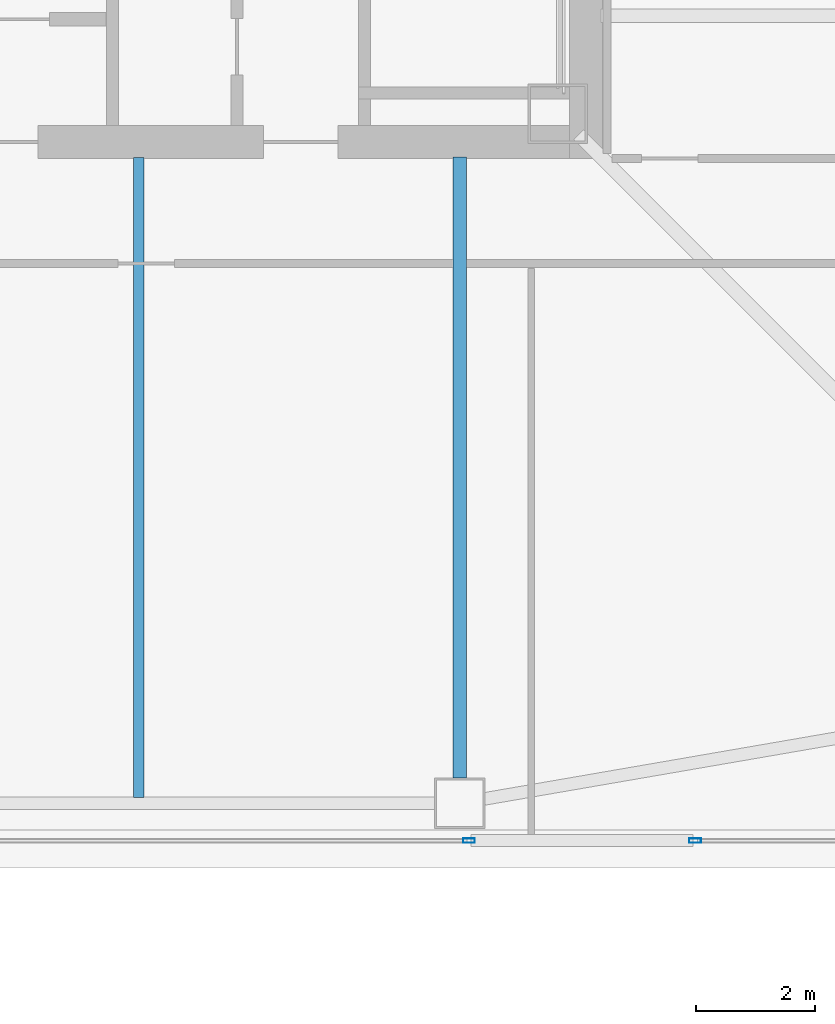
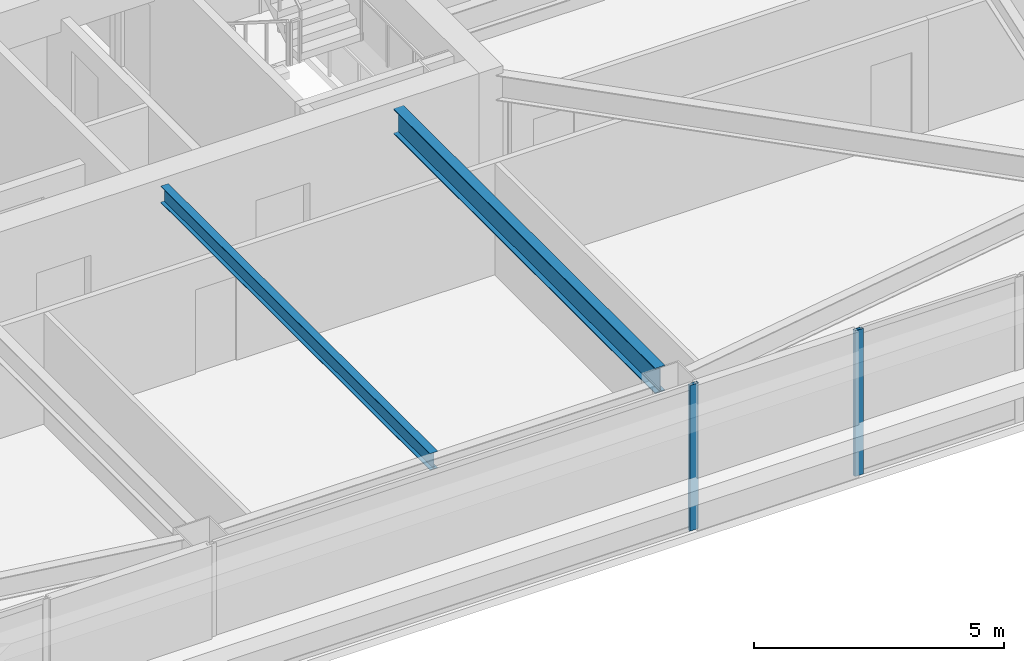
# One storey, part 5 of 46: 2 beams, 2 members, 2 elements without a shape of their own.
"""IFC4 building model written with IfcOpenShell, lengths in metres."""

import ifcopenshell
import ifcopenshell.guid

model = None  # the IFC model being written
_history = None  # IfcOwnerHistory: only IFC2X3 demands one
_inside = {}  # id of a spatial element -> (the spatial element, [elements in it])
_under = {}  # id of a project, library or spatial element -> (it, [spatial elements below it])
_declared = {}  # id of a project -> (the project, [libraries it declares])
_typed = {}  # id of a type object -> (the type object, [elements of that type])
_made_of = {}  # id of a material, layer set ... -> (it, [elements and type objects made of it])


def new_model(schema):
    """Start an empty IFC model of exactly this schema.

    Asked for "IFC4X3", IfcOpenShell would pick the latest addendum, in which some entities
    have other attributes; the version numbers below select the first issue.
    IFC2X3 requires an IfcOwnerHistory on every rooted entity: one is made here for all.
    """
    global model, _history
    if schema == "IFC4X3":
        model = ifcopenshell.file(schema_version=(4, 3, 0, 0))
    else:
        model = ifcopenshell.file(schema=schema)
    _inside.clear()
    _under.clear()
    _declared.clear()
    _typed.clear()
    _made_of.clear()
    _history = None
    if model.schema == "IFC2X3":
        org = make("IfcOrganization", Name="unknown")
        user = make(
            "IfcPersonAndOrganization",
            ThePerson=make("IfcPerson", FamilyName="unknown"),
            TheOrganization=org,
        )
        app = make(
            "IfcApplication",
            ApplicationDeveloper=org,
            Version="unknown",
            ApplicationFullName="unknown",
            ApplicationIdentifier="unknown",
        )
        _history = make(
            "IfcOwnerHistory",
            OwningUser=user,
            OwningApplication=app,
            ChangeAction="ADDED",
            CreationDate=0,
        )
    return model


def make(cls, **values):
    """One entity of the class cls with the attributes given. An attribute that is None is left unset."""
    return model.create_entity(
        cls, **{name: value for name, value in values.items() if value is not None}
    )


def rooted(cls, **values):
    """An entity with a GlobalId (a new one), such as an element, a storey or a relation."""
    return make(cls, GlobalId=ifcopenshell.guid.new(), OwnerHistory=_history, **values)


def si_unit(unit_type, name, prefix=None):
    """IfcSIUnit, for example si_unit("LENGTHUNIT", "METRE", prefix="MILLI")."""
    return make("IfcSIUnit", UnitType=unit_type, Prefix=prefix, Name=name)


def assignment(units):
    """IfcUnitAssignment: the units of a project."""
    return None if units is None else make("IfcUnitAssignment", Units=units)


def point(xyz):
    """IfcCartesianPoint."""
    return None if xyz is None else make("IfcCartesianPoint", Coordinates=xyz)


def direction(xyz):
    """IfcDirection."""
    return None if xyz is None else make("IfcDirection", DirectionRatios=xyz)


def frame(location, z_axis=None, x_axis=None):
    """IfcAxis2Placement3D, a coordinate frame: its origin and axes. An axis left out is left unset."""
    return make(
        "IfcAxis2Placement3D",
        Location=point(location),
        Axis=direction(z_axis),
        RefDirection=direction(x_axis),
    )


def frame_2d(location, x_axis=None):
    """IfcAxis2Placement2D, a coordinate frame in the plane: its origin and x axis."""
    return make(
        "IfcAxis2Placement2D", Location=point(location), RefDirection=direction(x_axis)
    )


def origin():
    """The frame at (0, 0, 0) with its axes left unset."""
    return frame((0.0, 0.0, 0.0))


def origin_2d():
    """The frame at (0, 0) in the plane with its x axis left unset."""
    return frame_2d((0.0, 0.0))


def place(relative_to, where):
    """IfcLocalPlacement: puts the frame where relative to a parent placement (None: the world)."""
    return make(
        "IfcLocalPlacement", PlacementRelTo=relative_to, RelativePlacement=where
    )


def context(
    kind, dimensions, precision=None, world=None, true_north=None, identifier=None
):
    """IfcGeometricRepresentationContext, for example the 3D "Model" context."""
    return make(
        "IfcGeometricRepresentationContext",
        ContextIdentifier=identifier,
        ContextType=kind,
        CoordinateSpaceDimension=dimensions,
        Precision=precision,
        WorldCoordinateSystem=world,
        TrueNorth=true_north,
    )


def subcontext(parent, identifier, kind, view, scale=None):
    """IfcGeometricRepresentationSubContext, for example "Body" below "Model"."""
    return make(
        "IfcGeometricRepresentationSubContext",
        ContextIdentifier=identifier,
        ContextType=kind,
        ParentContext=parent,
        TargetScale=scale,
        TargetView=view,
    )


def project(units=None, contexts=None):
    """IfcProject with its units and contexts."""
    return rooted(
        "IfcProject",
        Name="project",
        RepresentationContexts=contexts,
        UnitsInContext=assignment(units),
    )


def spatial(cls, under=None, at=None, **own):
    """A site, building, storey or space (cls), placed at a placement, below another one or the project."""
    s = rooted(cls, ObjectPlacement=at, **own)
    if under is not None:
        _under.setdefault(under.id(), (under, []))[1].append(s)
    return s


def profile(cls, at=None, kind="AREA", **sizes):
    """A parametric profile (cls). Its sizes go by their IFC names, for example OverallWidth=200.0."""
    return make(cls, ProfileType=kind, Position=at, **sizes)


def hollow_rectangle(**sizes):
    """IfcRectangleHollowProfileDef."""
    return profile("IfcRectangleHollowProfileDef", **sizes)


def i_section(**sizes):
    """IfcIShapeProfileDef."""
    return profile("IfcIShapeProfileDef", **sizes)


def extrude(swept, where, along, depth):
    """IfcExtrudedAreaSolid: the profile swept, set in the frame where, extruded along a direction by depth."""
    return make(
        "IfcExtrudedAreaSolid",
        SweptArea=swept,
        Position=where,
        ExtrudedDirection=direction(along),
        Depth=depth,
    )


def shape(context_of_items, identifier, shape_type, items):
    """IfcShapeRepresentation: the items that make up one representation, for example the "Body"."""
    return make(
        "IfcShapeRepresentation",
        ContextOfItems=context_of_items,
        RepresentationIdentifier=identifier,
        RepresentationType=shape_type,
        Items=items,
    )


def material(Name=None, Category=None):
    """IfcMaterial."""
    return make("IfcMaterial", Name=Name, Category=Category)


def material_profile(
    of_material, cross_section, Name=None, Category=None, Priority=None
):
    """IfcMaterialProfile: a cross section and its material."""
    return make(
        "IfcMaterialProfile",
        Name=Name,
        Material=of_material,
        Profile=cross_section,
        Priority=Priority,
        Category=Category,
    )


def profile_set(profiles, Name=None, composite=None):
    """IfcMaterialProfileSet."""
    return make(
        "IfcMaterialProfileSet",
        Name=Name,
        MaterialProfiles=profiles,
        CompositeProfile=composite,
    )


def made_of(thing, what):
    """Note that an element or type object is made of a material, layer set ...; save() writes the relation."""
    if what is not None:
        _made_of.setdefault(what.id(), (what, []))[1].append(thing)
    return thing


def type_object(cls, material=None, **own):
    """A type object (cls), such as IfcWallType, which elements share."""
    return made_of(rooted(cls, **own), material)


def element(
    cls,
    number,
    at=None,
    inside=None,
    cuts=None,
    type_object=None,
    material=None,
    context=None,
    identifier="Body",
    shape_type=None,
    held_by="IfcProductDefinitionShape",
    body=None,
    shapes=None,
    **own,
):
    """One element of the class cls, such as IfcWall. Its Tag is "e" and its number.

    at: its placement. inside: the storey or other place that contains it. cuts: it is an
    opening in that element (IfcRelVoidsElement). A single representation is given by context,
    identifier, shape_type and body (its items); several are given by shapes. held_by: the class
    of the entity that holds the representations. save() writes the other relations.
    """
    e = rooted(cls, Tag="e%d" % number, ObjectPlacement=at, **own)
    if body is not None:
        shapes = [shape(context, identifier, shape_type, body)]
    if shapes is not None:
        e.Representation = make(held_by, Representations=shapes)
    if inside is not None:
        _inside.setdefault(inside.id(), (inside, []))[1].append(e)
    if cuts is not None:
        rooted(
            "IfcRelVoidsElement", RelatingBuildingElement=cuts, RelatedOpeningElement=e
        )
    if type_object is not None:
        _typed.setdefault(type_object.id(), (type_object, []))[1].append(e)
    return made_of(e, material)


def aggregate(whole, parts):
    """IfcRelAggregates: a whole, such as a stair, and the parts it consists of."""
    return rooted("IfcRelAggregates", RelatingObject=whole, RelatedObjects=parts)


def save(model, path):
    """Write the relations noted so far, then the file.

    IfcRelAggregates (storeys below a building ...), IfcRelContainedInSpatialStructure (elements
    in a storey), IfcRelDefinesByType, IfcRelAssociatesMaterial and IfcRelDeclares: one each for
    every whole, place, type object, material and project.
    """
    for whole, parts in _under.values():
        aggregate(whole, parts)
    for where, things in _inside.values():
        rooted(
            "IfcRelContainedInSpatialStructure",
            RelatedElements=things,
            RelatingStructure=where,
        )
    for kind, things in _typed.values():
        rooted("IfcRelDefinesByType", RelatedObjects=things, RelatingType=kind)
    for what, things in _made_of.values():
        rooted("IfcRelAssociatesMaterial", RelatedObjects=things, RelatingMaterial=what)
    for by, libraries in _declared.values():
        rooted("IfcRelDeclares", RelatingContext=by, RelatedDefinitions=libraries)
    model.write(path)


model = new_model("IFC4")

# Units and contexts
model_context = context("Model", 3, precision=1e-05, world=origin(), true_north=direction((0.0, 1.0)))
body_context = subcontext(model_context, "Body", "Model", "MODEL_VIEW")
ifc_project = project(units=[si_unit("LENGTHUNIT", "METRE"), si_unit("AREAUNIT", "SQUARE_METRE"), si_unit("VOLUMEUNIT", "CUBIC_METRE"), si_unit("PLANEANGLEUNIT", "RADIAN"), si_unit("MASSUNIT", "GRAM", prefix="KILO")], contexts=[model_context])

# Site, building, storey
site_placement = place(None, origin())
site = spatial("IfcSite", under=ifc_project, at=site_placement, CompositionType="ELEMENT")
building_placement = place(site_placement, origin())
building = spatial("IfcBuilding", under=site, at=building_placement, Name="Tashvorn Skyway Center", CompositionType="ELEMENT")
storey_placement = place(building_placement, frame((0.0, 0.0, 132.14990234375)))
storey = spatial("IfcBuildingStorey", under=building, at=storey_placement, Name="L35", CompositionType="ELEMENT", Elevation=132.14990234375)

# Beams
ifc_material_1 = material(Name="Steel ASTM A992 Grade 50", Category="steel")
ifc_material_profile_1 = material_profile(ifc_material_1, i_section(OverallWidth=0.22998046875, OverallDepth=0.616943359375, WebThickness=0.01318359375, FlangeThickness=0.022216796875, at=origin_2d()), Name="W24X94")
ifc_profile_set_1 = profile_set([ifc_material_profile_1], Name="Steel ASTM A992 Grade 50")
beam_type_1 = type_object("IfcBeamType", Name="BM-BEAM-W24X94", PredefinedType="BEAM", material=ifc_profile_set_1)
beam_1_placement = place(storey_placement, frame((47.39990234375, 13.77001953125, 3.0615234375), z_axis=(0.0, 1.0, 0.0), x_axis=(-1.0, 0.0, 0.0)))
element("IfcBeam", 1, at=beam_1_placement, inside=storey, type_object=beam_type_1, Name="Tower 1 L35 Primary Floor Girder FC-S2", PredefinedType="BEAM", context=body_context, shape_type="SweptSolid", body=[
    extrude(i_section(OverallWidth=0.22998046875, OverallDepth=0.616943359375, WebThickness=0.01318359375, FlangeThickness=0.022216796875, at=origin_2d()), origin(), (0.0, 0.0, 1.0), 10.449951171875),
])
ifc_material_profile_2 = material_profile(ifc_material_1, i_section(OverallWidth=0.177978515625, OverallDepth=0.406005859375, WebThickness=0.0078125, FlangeThickness=0.0126953125, at=origin_2d()), Name="W16X40")
ifc_profile_set_2 = profile_set([ifc_material_profile_2], Name="Steel ASTM A992 Grade 50")
beam_type_2 = type_object("IfcBeamType", Name="BM-JOIST-W16X40", PredefinedType="JOIST", material=ifc_profile_set_2)
beam_2_placement = place(storey_placement, frame((42.0, 24.2099609375, 3.1669921875), z_axis=(0.0, -1.0, 0.0), x_axis=(1.0, 0.0, 0.0)))
element("IfcBeam", 2, at=beam_2_placement, inside=storey, type_object=beam_type_2, Name="Tower 1 L35 Secondary Composite Joist JS", PredefinedType="JOIST", context=body_context, shape_type="SweptSolid", body=[
    extrude(i_section(OverallWidth=0.177978515625, OverallDepth=0.406005859375, WebThickness=0.0078125, FlangeThickness=0.0126953125, at=origin_2d()), origin(), (0.0, 0.0, 1.0), 10.762451171875),
])

# Curtain wall, member
ifc_material_2 = material(Name="Thermally broken bronze-anodized aluminium 6063-T6", Category="aluminium")
curtain_wall_type = type_object("IfcCurtainWallType", Name="CW-CW-Z3", PredefinedType="NOTDEFINED", material=ifc_material_2)
curtain_wall_1_placement = place(storey_placement, origin())
curtain_wall_1 = element("IfcCurtainWall", 3, at=curtain_wall_1_placement, inside=storey, type_object=curtain_wall_type, Name="Tower 1 L35 South Unitised Curtain Wall Glazing Group 1", PredefinedType="NOTDEFINED")
ifc_material_profile_3 = material_profile(ifc_material_2, hollow_rectangle(XDim=0.074951171875, YDim=0.199951171875, WallThickness=0.00439453125, at=origin_2d()), Name="ALU-MULL-75x200")
ifc_profile_set_3 = profile_set([ifc_material_profile_3], Name="Thermally broken bronze-anodized aluminium 6063-T6")
member_type = type_object("IfcMemberType", Name="CWM-CW-Z3", PredefinedType="MULLION", material=ifc_profile_set_3)
member_1_placement = place(storey_placement, frame((51.359619140625, 12.719970703125, 0.0), z_axis=(0.0, 0.0, 1.0), x_axis=(0.0, -1.0, 0.0)))
member_1 = element("IfcMember", 4, at=member_1_placement, type_object=member_type, Name="CW-Z3 mullion 3", PredefinedType="MULLION", context=body_context, shape_type="SweptSolid", body=[
    extrude(hollow_rectangle(XDim=0.074951171875, YDim=0.199951171875, WallThickness=0.00439453125, at=origin_2d()), origin(), (0.0, 0.0, 1.0), 3.550048828125),
])
aggregate(curtain_wall_1, [member_1])

curtain_wall_2_placement = place(storey_placement, origin())
curtain_wall_2 = element("IfcCurtainWall", 5, at=curtain_wall_2_placement, inside=storey, type_object=curtain_wall_type, Name="Tower 1 L35 South Unitised Curtain Wall Glazing Group 2", PredefinedType="NOTDEFINED")
member_2_placement = place(storey_placement, frame((47.555908203125, 12.719970703125, 0.0), z_axis=(0.0, 0.0, 1.0), x_axis=(0.0, -1.0, 0.0)))
member_2 = element("IfcMember", 6, at=member_2_placement, type_object=member_type, Name="CW-Z3 mullion 1", PredefinedType="MULLION", context=body_context, shape_type="SweptSolid", body=[
    extrude(hollow_rectangle(XDim=0.074951171875, YDim=0.199951171875, WallThickness=0.00439453125, at=origin_2d()), origin(), (0.0, 0.0, 1.0), 3.550048828125),
])
aggregate(curtain_wall_2, [member_2])

save(model, "model.ifc")
